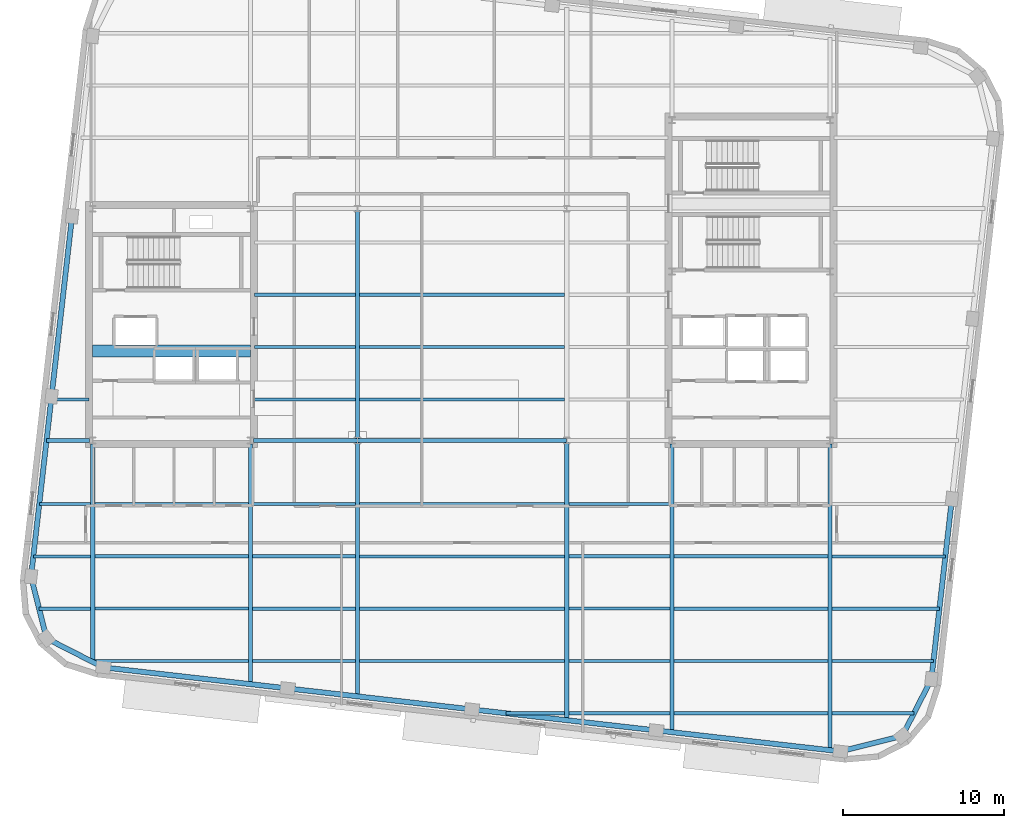
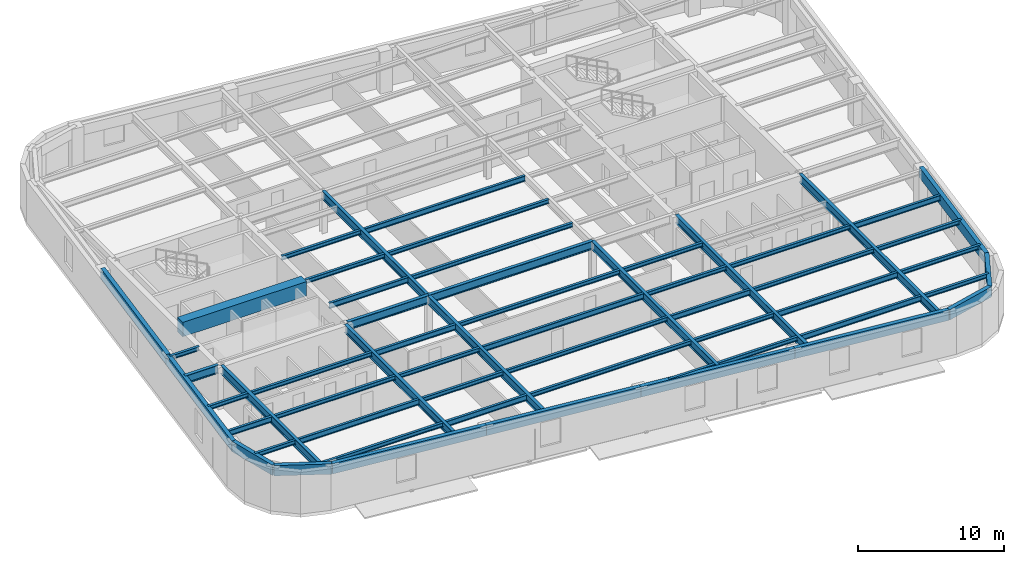
# One storey, part 3 of 13: 58 beams.
"""IFC4 building model written with IfcOpenShell, lengths in metres."""

from ifc_helpers import new_model, si_unit, direction, frame, origin, origin_2d, place, context, subcontext, project, spatial, rectangle, hollow_rectangle, i_section, extrude, material, material_profile, profile_set, type_object, element, save


model = new_model("IFC4")

# Units and contexts
model_context = context("Model", 3, precision=1e-05, world=origin(), true_north=direction((0.0, 1.0)))
body_context = subcontext(model_context, "Body", "Model", "MODEL_VIEW")
ifc_project = project(units=[si_unit("LENGTHUNIT", "METRE"), si_unit("AREAUNIT", "SQUARE_METRE"), si_unit("VOLUMEUNIT", "CUBIC_METRE"), si_unit("PLANEANGLEUNIT", "RADIAN"), si_unit("MASSUNIT", "GRAM", prefix="KILO")], contexts=[model_context])

# Site, building, storey
site_placement = place(None, origin())
site = spatial("IfcSite", under=ifc_project, at=site_placement, CompositionType="ELEMENT")
building_placement = place(site_placement, origin())
building = spatial("IfcBuilding", under=site, at=building_placement, Name="Kolvaren Arena Tower", CompositionType="ELEMENT")
storey_placement = place(building_placement, frame((0.0, 0.0, 254.699951171875)))
storey = spatial("IfcBuildingStorey", under=building, at=storey_placement, Name="L62", CompositionType="ELEMENT", Elevation=254.699951171875)

# Beams
ifc_material_1 = material(Name="Steel CSA G40.21 350W", Category="steel")
ifc_material_profile_1 = material_profile(ifc_material_1, i_section(OverallWidth=0.193115234375, OverallDepth=0.462890625, WebThickness=0.0107421875, FlangeThickness=0.0205078125, FilletRadius=0.012939453125, at=origin_2d()), Name="W460x113")
ifc_profile_set_1 = profile_set([ifc_material_profile_1], Name="Steel CSA G40.21 350W")
beam_type_1 = type_object("IfcBeamType", Name="BEAM-F2", PredefinedType="BEAM", material=ifc_profile_set_1)
beam_1_placement = place(storey_placement, frame((50.677490234375, 2.5, 3.24853515625), z_axis=(1.0, 0.0, 0.0), x_axis=(0.0, 1.0, 0.0)))
element("IfcBeam", 1, at=beam_1_placement, inside=storey, type_object=beam_type_1, Name="Composite Floor Beam (L62)", PredefinedType="BEAM", context=body_context, shape_type="SweptSolid", body=[
    extrude(i_section(OverallWidth=0.193115234375, OverallDepth=0.462890625, WebThickness=0.0107421875, FlangeThickness=0.0205078125, FilletRadius=0.012939453125, at=origin_2d()), origin(), (0.0, 0.0, 1.0), 9.544921875),
])
beam_2_placement = place(storey_placement, frame((24.4775390625, 5.75, 3.24853515625), z_axis=(1.0, 0.0, 0.0), x_axis=(0.0, 1.0, 0.0)))
element("IfcBeam", 2, at=beam_2_placement, inside=storey, type_object=beam_type_1, Name="Composite Floor Beam (L62)", PredefinedType="BEAM", context=body_context, shape_type="SweptSolid", body=[
    extrude(i_section(OverallWidth=0.193115234375, OverallDepth=0.462890625, WebThickness=0.0107421875, FlangeThickness=0.0205078125, FilletRadius=0.012939453125, at=origin_2d()), origin(), (0.0, 0.0, 1.0), 6.39501953125),
])
for number, where, z_axis, x_axis, name in (
    (3, (50.677490234375, 5.75, 3.24853515625), (1.0, 0.0, 0.0), (0.0, 1.0, 0.0), "Composite Floor Beam (L62)"),
    (4, (14.677490234375, 9.0, 3.24853515625), (1.0, 0.0, 0.0), (0.0, 1.0, 0.0), "Composite Floor Beam (L62)"),
):
    element("IfcBeam", number, at=place(storey_placement, frame(where, z_axis=z_axis, x_axis=x_axis)), inside=storey, type_object=beam_type_1, Name=name, PredefinedType="BEAM", context=body_context, shape_type="SweptSolid", body=[
        extrude(i_section(OverallWidth=0.193115234375, OverallDepth=0.462890625, WebThickness=0.0107421875, FlangeThickness=0.0205078125, FilletRadius=0.012939453125, at=origin_2d()), origin(), (0.0, 0.0, 1.0), 9.544921875),
    ])
beam_3_placement = place(storey_placement, frame((44.12744140625, 9.0, 3.24853515625), z_axis=(1.0, 0.0, 0.0), x_axis=(0.0, 1.0, 0.0)))
element("IfcBeam", 5, at=beam_3_placement, inside=storey, type_object=beam_type_1, Name="Composite Floor Beam (L62)", PredefinedType="BEAM", context=body_context, shape_type="SweptSolid", body=[
    extrude(i_section(OverallWidth=0.193115234375, OverallDepth=0.462890625, WebThickness=0.0107421875, FlangeThickness=0.0205078125, FilletRadius=0.012939453125, at=origin_2d()), origin(), (0.0, 0.0, 1.0), 6.295166015625),
])
beam_4_placement = place(storey_placement, frame((10.86083984375, 12.25, 3.24853515625), z_axis=(1.0, 0.0, 0.0), x_axis=(0.0, 1.0, 0.0)))
element("IfcBeam", 6, at=beam_4_placement, inside=storey, type_object=beam_type_1, Name="Composite Floor Beam (L62)", PredefinedType="BEAM", context=body_context, shape_type="SweptSolid", body=[
    extrude(i_section(OverallWidth=0.193115234375, OverallDepth=0.462890625, WebThickness=0.0107421875, FlangeThickness=0.0205078125, FilletRadius=0.012939453125, at=origin_2d()), origin(), (0.0, 0.0, 1.0), 3.561767578125),
])
beam_5_placement = place(storey_placement, frame((31.12744140625, 12.25, 3.24853515625), z_axis=(1.0, 0.0, 0.0), x_axis=(0.0, 1.0, 0.0)))
element("IfcBeam", 7, at=beam_5_placement, inside=storey, type_object=beam_type_1, Name="Composite Floor Beam (L62)", PredefinedType="BEAM", context=body_context, shape_type="SweptSolid", body=[
    extrude(i_section(OverallWidth=0.193115234375, OverallDepth=0.462890625, WebThickness=0.0107421875, FlangeThickness=0.0205078125, FilletRadius=0.012939453125, at=origin_2d()), origin(), (0.0, 0.0, 1.0), 12.7451171875),
])
beam_6_placement = place(storey_placement, frame((60.4775390625, 12.25, 3.24853515625), z_axis=(1.0, 0.0, 0.0), x_axis=(0.0, 1.0, 0.0)))
element("IfcBeam", 8, at=beam_6_placement, inside=storey, type_object=beam_type_1, Name="Composite Floor Beam (L62)", PredefinedType="BEAM", context=body_context, shape_type="SweptSolid", body=[
    extrude(i_section(OverallWidth=0.193115234375, OverallDepth=0.462890625, WebThickness=0.0107421875, FlangeThickness=0.0205078125, FilletRadius=0.012939453125, at=origin_2d()), origin(), (0.0, 0.0, 1.0), 7.04736328125),
])
beam_7_placement = place(storey_placement, frame((24.4775390625, 15.5, 3.24853515625), z_axis=(1.0, 0.0, 0.0), x_axis=(0.0, 1.0, 0.0)))
element("IfcBeam", 9, at=beam_7_placement, inside=storey, type_object=beam_type_1, Name="Composite Floor Beam (L62)", PredefinedType="BEAM", context=body_context, shape_type="SweptSolid", body=[
    extrude(i_section(OverallWidth=0.193115234375, OverallDepth=0.462890625, WebThickness=0.0107421875, FlangeThickness=0.0205078125, FilletRadius=0.012939453125, at=origin_2d()), origin(), (0.0, 0.0, 1.0), 6.39501953125),
])
beam_8_placement = place(storey_placement, frame((24.594970703125, 22.0, 3.24853515625), z_axis=(1.0, 0.0, 0.0), x_axis=(0.0, 1.0, 0.0)))
element("IfcBeam", 10, at=beam_8_placement, inside=storey, type_object=beam_type_1, Name="Composite Floor Beam (L62)", PredefinedType="BEAM", context=body_context, shape_type="SweptSolid", body=[
    extrude(i_section(OverallWidth=0.193115234375, OverallDepth=0.462890625, WebThickness=0.0107421875, FlangeThickness=0.0205078125, FilletRadius=0.012939453125, at=origin_2d()), origin(), (0.0, 0.0, 1.0), 6.277587890625),
])
beam_9_placement = place(storey_placement, frame((31.12744140625, 28.5, 3.24853515625), z_axis=(1.0, 0.0, 0.0), x_axis=(0.0, 1.0, 0.0)))
element("IfcBeam", 11, at=beam_9_placement, inside=storey, type_object=beam_type_1, Name="Composite Floor Beam (L62)", PredefinedType="BEAM", context=body_context, shape_type="SweptSolid", body=[
    extrude(i_section(OverallWidth=0.193115234375, OverallDepth=0.462890625, WebThickness=0.0107421875, FlangeThickness=0.0205078125, FilletRadius=0.012939453125, at=origin_2d()), origin(), (0.0, 0.0, 1.0), 12.7451171875),
])
ifc_material_2 = material(Name="Concrete 60 MPa", Category="concrete")
ifc_material_profile_2 = material_profile(ifc_material_2, rectangle(XDim=0.75, YDim=1.199951171875, at=origin_2d()), Name="RC-750x1200")
ifc_profile_set_2 = profile_set([ifc_material_profile_2], Name="Concrete 60 MPa")
beam_type_2 = type_object("IfcBeamType", Name="CB-CORE-2", PredefinedType="BEAM", material=ifc_profile_set_2)
beam_10_placement = place(storey_placement, frame((14.550048828125, 25.0, 3.150146484375), z_axis=(1.0, 0.0, 0.0), x_axis=(0.0, 1.0, 0.0)))
element("IfcBeam", 12, at=beam_10_placement, inside=storey, type_object=beam_type_2, Name="West Core Coupling Beam (L62)", PredefinedType="BEAM", context=body_context, shape_type="SweptSolid", body=[
    extrude(rectangle(XDim=0.75, YDim=1.199951171875, at=origin_2d()), origin(), (0.0, 0.0, 1.0), 9.800048828125),
])
ifc_material_profile_3 = material_profile(ifc_material_1, i_section(OverallWidth=0.2548828125, OverallDepth=0.695068359375, WebThickness=0.01708984375, FlangeThickness=0.02978515625, FilletRadius=0.01611328125, at=origin_2d()), Name="W690x217")
ifc_profile_set_3 = profile_set([ifc_material_profile_3], Name="Steel CSA G40.21 350W")
beam_type_3 = type_object("IfcBeamType", Name="GIRD-T2", PredefinedType="BEAM", material=ifc_profile_set_3)
beam_11_placement = place(storey_placement, frame((11.68115234375, 19.449951171875, 3.132568359375), z_axis=(1.0, 0.0, 0.0), x_axis=(0.0, 1.0, 0.0)))
element("IfcBeam", 13, at=beam_11_placement, inside=storey, type_object=beam_type_3, Name="Primary Floor Girder (L62)", PredefinedType="BEAM", context=body_context, shape_type="SweptSolid", body=[
    extrude(i_section(OverallWidth=0.2548828125, OverallDepth=0.695068359375, WebThickness=0.01708984375, FlangeThickness=0.02978515625, FilletRadius=0.01611328125, at=origin_2d()), origin(), (0.0, 0.0, 1.0), 2.663818359375),
])
beam_12_placement = place(storey_placement, frame((24.554931640625, 19.449951171875, 3.132568359375), z_axis=(1.0, 0.0, 0.0), x_axis=(0.0, 1.0, 0.0)))
element("IfcBeam", 14, at=beam_12_placement, inside=storey, type_object=beam_type_3, Name="Primary Floor Girder (L62)", PredefinedType="BEAM", context=body_context, shape_type="SweptSolid", body=[
    extrude(i_section(OverallWidth=0.2548828125, OverallDepth=0.695068359375, WebThickness=0.01708984375, FlangeThickness=0.02978515625, FilletRadius=0.01611328125, at=origin_2d()), origin(), (0.0, 0.0, 1.0), 6.445068359375),
])
beam_13_placement = place(storey_placement, frame((31.0, 19.449951171875, 3.132568359375), z_axis=(1.0, 0.0, 0.0), x_axis=(0.0, 1.0, 0.0)))
element("IfcBeam", 15, at=beam_13_placement, inside=storey, type_object=beam_type_3, Name="Primary Floor Girder (L62)", PredefinedType="BEAM", context=body_context, shape_type="SweptSolid", body=[
    extrude(i_section(OverallWidth=0.2548828125, OverallDepth=0.695068359375, WebThickness=0.01708984375, FlangeThickness=0.02978515625, FilletRadius=0.01611328125, at=origin_2d()), origin(), (0.0, 0.0, 1.0), 13.0),
])
beam_14_placement = place(storey_placement, frame((14.550048828125, 5.686767578125, 3.132568359375), z_axis=(0.0, 1.0, 0.0), x_axis=(-1.0, 0.0, 0.0)))
element("IfcBeam", 16, at=beam_14_placement, inside=storey, type_object=beam_type_3, Name="Primary Floor Girder (L62)", PredefinedType="BEAM", context=body_context, shape_type="SweptSolid", body=[
    extrude(i_section(OverallWidth=0.2548828125, OverallDepth=0.695068359375, WebThickness=0.01708984375, FlangeThickness=0.02978515625, FilletRadius=0.01611328125, at=origin_2d()), origin(), (0.0, 0.0, 1.0), 13.558349609375),
])
beam_15_placement = place(storey_placement, frame((24.35009765625, 4.30908203125, 3.132568359375), z_axis=(0.0, 1.0, 0.0), x_axis=(-1.0, 0.0, 0.0)))
element("IfcBeam", 17, at=beam_15_placement, inside=storey, type_object=beam_type_3, Name="Primary Floor Girder (L62)", PredefinedType="BEAM", context=body_context, shape_type="SweptSolid", body=[
    extrude(i_section(OverallWidth=0.2548828125, OverallDepth=0.695068359375, WebThickness=0.01708984375, FlangeThickness=0.02978515625, FilletRadius=0.01611328125, at=origin_2d()), origin(), (0.0, 0.0, 1.0), 14.93603515625),
])
beam_16_placement = place(storey_placement, frame((31.0, 3.551513671875, 3.132568359375), z_axis=(0.0, 1.0, 0.0), x_axis=(-1.0, 0.0, 0.0)))
element("IfcBeam", 18, at=beam_16_placement, inside=storey, type_object=beam_type_3, Name="Primary Floor Girder (L62)", PredefinedType="BEAM", context=body_context, shape_type="SweptSolid", body=[
    extrude(i_section(OverallWidth=0.2548828125, OverallDepth=0.695068359375, WebThickness=0.01708984375, FlangeThickness=0.02978515625, FilletRadius=0.01611328125, at=origin_2d()), origin(), (0.0, 0.0, 1.0), 15.8984375),
])
beam_17_placement = place(storey_placement, frame((31.0, 19.449951171875, 3.132568359375), z_axis=(0.0, 1.0, 0.0), x_axis=(-1.0, 0.0, 0.0)))
element("IfcBeam", 19, at=beam_17_placement, inside=storey, type_object=beam_type_3, Name="Primary Floor Girder (L62)", PredefinedType="BEAM", context=body_context, shape_type="SweptSolid", body=[
    extrude(i_section(OverallWidth=0.2548828125, OverallDepth=0.695068359375, WebThickness=0.01708984375, FlangeThickness=0.02978515625, FilletRadius=0.01611328125, at=origin_2d()), origin(), (0.0, 0.0, 1.0), 14.400146484375),
])
beam_18_placement = place(storey_placement, frame((44.0, 2.0703125, 3.132568359375), z_axis=(0.0, 1.0, 0.0), x_axis=(-1.0, 0.0, 0.0)))
element("IfcBeam", 20, at=beam_18_placement, inside=storey, type_object=beam_type_3, Name="Primary Floor Girder (L62)", PredefinedType="BEAM", context=body_context, shape_type="SweptSolid", body=[
    extrude(i_section(OverallWidth=0.2548828125, OverallDepth=0.695068359375, WebThickness=0.01708984375, FlangeThickness=0.02978515625, FilletRadius=0.01611328125, at=origin_2d()), origin(), (0.0, 0.0, 1.0), 17.379638671875),
])
beam_19_placement = place(storey_placement, frame((50.550048828125, 1.323974609375, 3.132568359375), z_axis=(0.0, 1.0, 0.0), x_axis=(-1.0, 0.0, 0.0)))
element("IfcBeam", 21, at=beam_19_placement, inside=storey, type_object=beam_type_3, Name="Primary Floor Girder (L62)", PredefinedType="BEAM", context=body_context, shape_type="SweptSolid", body=[
    extrude(i_section(OverallWidth=0.2548828125, OverallDepth=0.695068359375, WebThickness=0.01708984375, FlangeThickness=0.02978515625, FilletRadius=0.01611328125, at=origin_2d()), origin(), (0.0, 0.0, 1.0), 17.921142578125),
])
beam_20_placement = place(storey_placement, frame((60.35009765625, 0.20751953125, 3.132568359375), z_axis=(0.0, 1.0, 0.0), x_axis=(-1.0, 0.0, 0.0)))
element("IfcBeam", 22, at=beam_20_placement, inside=storey, type_object=beam_type_3, Name="Primary Floor Girder (L62)", PredefinedType="BEAM", context=body_context, shape_type="SweptSolid", body=[
    extrude(i_section(OverallWidth=0.2548828125, OverallDepth=0.695068359375, WebThickness=0.01708984375, FlangeThickness=0.02978515625, FilletRadius=0.01611328125, at=origin_2d()), origin(), (0.0, 0.0, 1.0), 19.03759765625),
])
ifc_material_profile_4 = material_profile(ifc_material_1, i_section(OverallWidth=0.202880859375, OverallDepth=0.346923828125, WebThickness=0.0078125, FlangeThickness=0.013427734375, FilletRadius=0.010986328125, at=origin_2d()), Name="W360x64")
ifc_profile_set_4 = profile_set([ifc_material_profile_4], Name="Steel CSA G40.21 350W")
beam_type_4 = type_object("IfcBeamType", Name="JOIST-01", PredefinedType="JOIST", material=ifc_profile_set_4)
beam_21_placement = place(storey_placement, frame((40.228271484375, 2.5, 3.306640625), z_axis=(1.0, 0.0, 0.0), x_axis=(0.0, 1.0, 0.0)))
element("IfcBeam", 23, at=beam_21_placement, inside=storey, type_object=beam_type_4, Name="Composite Floor Joist (L62)", PredefinedType="JOIST", context=body_context, shape_type="SweptSolid", body=[
    extrude(i_section(OverallWidth=0.202880859375, OverallDepth=0.346923828125, WebThickness=0.0078125, FlangeThickness=0.013427734375, FilletRadius=0.010986328125, at=origin_2d()), origin(), (0.0, 0.0, 1.0), 3.644287109375),
])
beam_22_placement = place(storey_placement, frame((44.12744140625, 2.5, 3.306640625), z_axis=(1.0, 0.0, 0.0), x_axis=(0.0, 1.0, 0.0)))
element("IfcBeam", 24, at=beam_22_placement, inside=storey, type_object=beam_type_4, Name="Composite Floor Joist (L62)", PredefinedType="JOIST", context=body_context, shape_type="SweptSolid", body=[
    extrude(i_section(OverallWidth=0.202880859375, OverallDepth=0.346923828125, WebThickness=0.0078125, FlangeThickness=0.013427734375, FilletRadius=0.010986328125, at=origin_2d()), origin(), (0.0, 0.0, 1.0), 6.295166015625),
])
beam_23_placement = place(storey_placement, frame((60.4775390625, 2.5, 3.306640625), z_axis=(1.0, 0.0, 0.0), x_axis=(0.0, 1.0, 0.0)))
element("IfcBeam", 25, at=beam_23_placement, inside=storey, type_object=beam_type_4, Name="Composite Floor Joist (L62)", PredefinedType="JOIST", context=body_context, shape_type="SweptSolid", body=[
    extrude(i_section(OverallWidth=0.202880859375, OverallDepth=0.346923828125, WebThickness=0.0078125, FlangeThickness=0.013427734375, FilletRadius=0.010986328125, at=origin_2d()), origin(), (0.0, 0.0, 1.0), 5.09423828125),
])
beam_24_placement = place(storey_placement, frame((14.42626953125, 5.75, 3.306640625), z_axis=(1.0, 0.0, 0.0), x_axis=(0.0, 1.0, 0.0)))
element("IfcBeam", 26, at=beam_24_placement, inside=storey, type_object=beam_type_4, Name="Composite Floor Joist (L62)", PredefinedType="JOIST", context=body_context, shape_type="SweptSolid", body=[
    extrude(i_section(OverallWidth=0.202880859375, OverallDepth=0.346923828125, WebThickness=0.0078125, FlangeThickness=0.013427734375, FilletRadius=0.010986328125, at=origin_2d()), origin(), (0.0, 0.0, 1.0), 9.796142578125),
])
beam_25_placement = place(storey_placement, frame((31.12744140625, 5.75, 3.306640625), z_axis=(1.0, 0.0, 0.0), x_axis=(0.0, 1.0, 0.0)))
element("IfcBeam", 27, at=beam_25_placement, inside=storey, type_object=beam_type_4, Name="Composite Floor Joist (L62)", PredefinedType="JOIST", context=body_context, shape_type="SweptSolid", body=[
    extrude(i_section(OverallWidth=0.202880859375, OverallDepth=0.346923828125, WebThickness=0.0078125, FlangeThickness=0.013427734375, FilletRadius=0.010986328125, at=origin_2d()), origin(), (0.0, 0.0, 1.0), 12.7451171875),
])
beam_26_placement = place(storey_placement, frame((44.12744140625, 5.75, 3.306640625), z_axis=(1.0, 0.0, 0.0), x_axis=(0.0, 1.0, 0.0)))
element("IfcBeam", 28, at=beam_26_placement, inside=storey, type_object=beam_type_4, Name="Composite Floor Joist (L62)", PredefinedType="JOIST", context=body_context, shape_type="SweptSolid", body=[
    extrude(i_section(OverallWidth=0.202880859375, OverallDepth=0.346923828125, WebThickness=0.0078125, FlangeThickness=0.013427734375, FilletRadius=0.010986328125, at=origin_2d()), origin(), (0.0, 0.0, 1.0), 6.295166015625),
])
beam_27_placement = place(storey_placement, frame((60.4775390625, 5.75, 3.306640625), z_axis=(1.0, 0.0, 0.0), x_axis=(0.0, 1.0, 0.0)))
element("IfcBeam", 29, at=beam_27_placement, inside=storey, type_object=beam_type_4, Name="Composite Floor Joist (L62)", PredefinedType="JOIST", context=body_context, shape_type="SweptSolid", body=[
    extrude(i_section(OverallWidth=0.202880859375, OverallDepth=0.346923828125, WebThickness=0.0078125, FlangeThickness=0.013427734375, FilletRadius=0.010986328125, at=origin_2d()), origin(), (0.0, 0.0, 1.0), 6.306884765625),
])
beam_28_placement = place(storey_placement, frame((11.217529296875, 9.0, 3.306640625), z_axis=(1.0, 0.0, 0.0), x_axis=(0.0, 1.0, 0.0)))
element("IfcBeam", 30, at=beam_28_placement, inside=storey, type_object=beam_type_4, Name="Composite Floor Joist (L62)", PredefinedType="JOIST", context=body_context, shape_type="SweptSolid", body=[
    extrude(i_section(OverallWidth=0.202880859375, OverallDepth=0.346923828125, WebThickness=0.0078125, FlangeThickness=0.013427734375, FilletRadius=0.010986328125, at=origin_2d()), origin(), (0.0, 0.0, 1.0), 3.205078125),
])
beam_29_placement = place(storey_placement, frame((24.4775390625, 9.0, 3.306640625), z_axis=(1.0, 0.0, 0.0), x_axis=(0.0, 1.0, 0.0)))
element("IfcBeam", 31, at=beam_29_placement, inside=storey, type_object=beam_type_4, Name="Composite Floor Joist (L62)", PredefinedType="JOIST", context=body_context, shape_type="SweptSolid", body=[
    extrude(i_section(OverallWidth=0.202880859375, OverallDepth=0.346923828125, WebThickness=0.0078125, FlangeThickness=0.013427734375, FilletRadius=0.010986328125, at=origin_2d()), origin(), (0.0, 0.0, 1.0), 6.39501953125),
])
beam_30_placement = place(storey_placement, frame((31.12744140625, 9.0, 3.306640625), z_axis=(1.0, 0.0, 0.0), x_axis=(0.0, 1.0, 0.0)))
element("IfcBeam", 32, at=beam_30_placement, inside=storey, type_object=beam_type_4, Name="Composite Floor Joist (L62)", PredefinedType="JOIST", context=body_context, shape_type="SweptSolid", body=[
    extrude(i_section(OverallWidth=0.202880859375, OverallDepth=0.346923828125, WebThickness=0.0078125, FlangeThickness=0.013427734375, FilletRadius=0.010986328125, at=origin_2d()), origin(), (0.0, 0.0, 1.0), 12.7451171875),
])
beam_31_placement = place(storey_placement, frame((50.677490234375, 9.0, 3.306640625), z_axis=(1.0, 0.0, 0.0), x_axis=(0.0, 1.0, 0.0)))
element("IfcBeam", 33, at=beam_31_placement, inside=storey, type_object=beam_type_4, Name="Composite Floor Joist (L62)", PredefinedType="JOIST", context=body_context, shape_type="SweptSolid", body=[
    extrude(i_section(OverallWidth=0.202880859375, OverallDepth=0.346923828125, WebThickness=0.0078125, FlangeThickness=0.013427734375, FilletRadius=0.010986328125, at=origin_2d()), origin(), (0.0, 0.0, 1.0), 9.544921875),
])
beam_32_placement = place(storey_placement, frame((60.4775390625, 9.0, 3.306640625), z_axis=(1.0, 0.0, 0.0), x_axis=(0.0, 1.0, 0.0)))
element("IfcBeam", 34, at=beam_32_placement, inside=storey, type_object=beam_type_4, Name="Composite Floor Joist (L62)", PredefinedType="JOIST", context=body_context, shape_type="SweptSolid", body=[
    extrude(i_section(OverallWidth=0.202880859375, OverallDepth=0.346923828125, WebThickness=0.0078125, FlangeThickness=0.013427734375, FilletRadius=0.010986328125, at=origin_2d()), origin(), (0.0, 0.0, 1.0), 6.67724609375),
])
beam_33_placement = place(storey_placement, frame((14.677490234375, 12.25, 3.306640625), z_axis=(1.0, 0.0, 0.0), x_axis=(0.0, 1.0, 0.0)))
element("IfcBeam", 35, at=beam_33_placement, inside=storey, type_object=beam_type_4, Name="Composite Floor Joist (L62)", PredefinedType="JOIST", context=body_context, shape_type="SweptSolid", body=[
    extrude(i_section(OverallWidth=0.202880859375, OverallDepth=0.346923828125, WebThickness=0.0078125, FlangeThickness=0.013427734375, FilletRadius=0.010986328125, at=origin_2d()), origin(), (0.0, 0.0, 1.0), 9.544921875),
])
beam_34_placement = place(storey_placement, frame((24.4775390625, 12.25, 3.306640625), z_axis=(1.0, 0.0, 0.0), x_axis=(0.0, 1.0, 0.0)))
element("IfcBeam", 36, at=beam_34_placement, inside=storey, type_object=beam_type_4, Name="Composite Floor Joist (L62)", PredefinedType="JOIST", context=body_context, shape_type="SweptSolid", body=[
    extrude(i_section(OverallWidth=0.202880859375, OverallDepth=0.346923828125, WebThickness=0.0078125, FlangeThickness=0.013427734375, FilletRadius=0.010986328125, at=origin_2d()), origin(), (0.0, 0.0, 1.0), 6.39501953125),
])
beam_35_placement = place(storey_placement, frame((44.12744140625, 12.25, 3.306640625), z_axis=(1.0, 0.0, 0.0), x_axis=(0.0, 1.0, 0.0)))
element("IfcBeam", 37, at=beam_35_placement, inside=storey, type_object=beam_type_4, Name="Composite Floor Joist (L62)", PredefinedType="JOIST", context=body_context, shape_type="SweptSolid", body=[
    extrude(i_section(OverallWidth=0.202880859375, OverallDepth=0.346923828125, WebThickness=0.0078125, FlangeThickness=0.013427734375, FilletRadius=0.010986328125, at=origin_2d()), origin(), (0.0, 0.0, 1.0), 6.295166015625),
])
beam_36_placement = place(storey_placement, frame((50.677490234375, 12.25, 3.306640625), z_axis=(1.0, 0.0, 0.0), x_axis=(0.0, 1.0, 0.0)))
element("IfcBeam", 38, at=beam_36_placement, inside=storey, type_object=beam_type_4, Name="Composite Floor Joist (L62)", PredefinedType="JOIST", context=body_context, shape_type="SweptSolid", body=[
    extrude(i_section(OverallWidth=0.202880859375, OverallDepth=0.346923828125, WebThickness=0.0078125, FlangeThickness=0.013427734375, FilletRadius=0.010986328125, at=origin_2d()), origin(), (0.0, 0.0, 1.0), 9.544921875),
])
beam_37_placement = place(storey_placement, frame((11.23095703125, 15.5, 3.306640625), z_axis=(1.0, 0.0, 0.0), x_axis=(0.0, 1.0, 0.0)))
element("IfcBeam", 39, at=beam_37_placement, inside=storey, type_object=beam_type_4, Name="Composite Floor Joist (L62)", PredefinedType="JOIST", context=body_context, shape_type="SweptSolid", body=[
    extrude(i_section(OverallWidth=0.202880859375, OverallDepth=0.346923828125, WebThickness=0.0078125, FlangeThickness=0.013427734375, FilletRadius=0.010986328125, at=origin_2d()), origin(), (0.0, 0.0, 1.0), 3.191650390625),
])
beam_38_placement = place(storey_placement, frame((14.677490234375, 15.5, 3.306640625), z_axis=(1.0, 0.0, 0.0), x_axis=(0.0, 1.0, 0.0)))
element("IfcBeam", 40, at=beam_38_placement, inside=storey, type_object=beam_type_4, Name="Composite Floor Joist (L62)", PredefinedType="JOIST", context=body_context, shape_type="SweptSolid", body=[
    extrude(i_section(OverallWidth=0.202880859375, OverallDepth=0.346923828125, WebThickness=0.0078125, FlangeThickness=0.013427734375, FilletRadius=0.010986328125, at=origin_2d()), origin(), (0.0, 0.0, 1.0), 9.544921875),
])
beam_39_placement = place(storey_placement, frame((31.12744140625, 15.5, 3.306640625), z_axis=(1.0, 0.0, 0.0), x_axis=(0.0, 1.0, 0.0)))
element("IfcBeam", 41, at=beam_39_placement, inside=storey, type_object=beam_type_4, Name="Composite Floor Joist (L62)", PredefinedType="JOIST", context=body_context, shape_type="SweptSolid", body=[
    extrude(i_section(OverallWidth=0.202880859375, OverallDepth=0.346923828125, WebThickness=0.0078125, FlangeThickness=0.013427734375, FilletRadius=0.010986328125, at=origin_2d()), origin(), (0.0, 0.0, 1.0), 12.7451171875),
])
beam_40_placement = place(storey_placement, frame((44.12744140625, 15.5, 3.306640625), z_axis=(1.0, 0.0, 0.0), x_axis=(0.0, 1.0, 0.0)))
element("IfcBeam", 42, at=beam_40_placement, inside=storey, type_object=beam_type_4, Name="Composite Floor Joist (L62)", PredefinedType="JOIST", context=body_context, shape_type="SweptSolid", body=[
    extrude(i_section(OverallWidth=0.202880859375, OverallDepth=0.346923828125, WebThickness=0.0078125, FlangeThickness=0.013427734375, FilletRadius=0.010986328125, at=origin_2d()), origin(), (0.0, 0.0, 1.0), 6.295166015625),
])
beam_41_placement = place(storey_placement, frame((11.9716796875, 22.0, 3.306640625), z_axis=(1.0, 0.0, 0.0), x_axis=(0.0, 1.0, 0.0)))
element("IfcBeam", 43, at=beam_41_placement, inside=storey, type_object=beam_type_4, Name="Composite Floor Joist (L62)", PredefinedType="JOIST", context=body_context, shape_type="SweptSolid", body=[
    extrude(i_section(OverallWidth=0.202880859375, OverallDepth=0.346923828125, WebThickness=0.0078125, FlangeThickness=0.013427734375, FilletRadius=0.010986328125, at=origin_2d()), origin(), (0.0, 0.0, 1.0), 2.333251953125),
])
beam_42_placement = place(storey_placement, frame((31.12744140625, 22.0, 3.306640625), z_axis=(1.0, 0.0, 0.0), x_axis=(0.0, 1.0, 0.0)))
element("IfcBeam", 44, at=beam_42_placement, inside=storey, type_object=beam_type_4, Name="Composite Floor Joist (L62)", PredefinedType="JOIST", context=body_context, shape_type="SweptSolid", body=[
    extrude(i_section(OverallWidth=0.202880859375, OverallDepth=0.346923828125, WebThickness=0.0078125, FlangeThickness=0.013427734375, FilletRadius=0.010986328125, at=origin_2d()), origin(), (0.0, 0.0, 1.0), 12.7451171875),
])
beam_43_placement = place(storey_placement, frame((24.594970703125, 25.25, 3.306640625), z_axis=(1.0, 0.0, 0.0), x_axis=(0.0, 1.0, 0.0)))
element("IfcBeam", 45, at=beam_43_placement, inside=storey, type_object=beam_type_4, Name="Composite Floor Joist (L62)", PredefinedType="JOIST", context=body_context, shape_type="SweptSolid", body=[
    extrude(i_section(OverallWidth=0.202880859375, OverallDepth=0.346923828125, WebThickness=0.0078125, FlangeThickness=0.013427734375, FilletRadius=0.010986328125, at=origin_2d()), origin(), (0.0, 0.0, 1.0), 6.277587890625),
])
beam_44_placement = place(storey_placement, frame((31.12744140625, 25.25, 3.306640625), z_axis=(1.0, 0.0, 0.0), x_axis=(0.0, 1.0, 0.0)))
element("IfcBeam", 46, at=beam_44_placement, inside=storey, type_object=beam_type_4, Name="Composite Floor Joist (L62)", PredefinedType="JOIST", context=body_context, shape_type="SweptSolid", body=[
    extrude(i_section(OverallWidth=0.202880859375, OverallDepth=0.346923828125, WebThickness=0.0078125, FlangeThickness=0.013427734375, FilletRadius=0.010986328125, at=origin_2d()), origin(), (0.0, 0.0, 1.0), 12.7451171875),
])
beam_45_placement = place(storey_placement, frame((24.594970703125, 28.5, 3.306640625), z_axis=(1.0, 0.0, 0.0), x_axis=(0.0, 1.0, 0.0)))
element("IfcBeam", 47, at=beam_45_placement, inside=storey, type_object=beam_type_4, Name="Composite Floor Joist (L62)", PredefinedType="JOIST", context=body_context, shape_type="SweptSolid", body=[
    extrude(i_section(OverallWidth=0.202880859375, OverallDepth=0.346923828125, WebThickness=0.0078125, FlangeThickness=0.013427734375, FilletRadius=0.010986328125, at=origin_2d()), origin(), (0.0, 0.0, 1.0), 6.277587890625),
])
ifc_material_3 = material(Name="Steel CSA G40.21 350WT", Category="steel")
ifc_material_profile_5 = material_profile(ifc_material_3, hollow_rectangle(XDim=0.320068359375, YDim=0.860107421875, WallThickness=0.01806640625, at=origin_2d()), Name="HSS 860x320x18")
ifc_profile_set_5 = profile_set([ifc_material_profile_5], Name="Steel CSA G40.21 350WT")
beam_type_5 = type_object("IfcBeamType", Name="SPAND-02", PredefinedType="SPANDREL", material=ifc_profile_set_5)
for number, where, z_axis, x_axis, name in (
    (48, (15.207763671875, 5.350830078125, 3.050048828125), (0.99357166944, -0.113204848336, 0.0), (0.113204848336, 0.99357166944, 0.0), "Perimeter Spandrel Beam (L62)"),
    (49, (26.65869140625, 4.046142578125, 3.050048828125), (0.99357166944, -0.113204848336, 0.0), (0.113204848336, 0.99357166944, 0.0), "Perimeter Spandrel Beam (L62)"),
):
    element("IfcBeam", number, at=place(storey_placement, frame(where, z_axis=z_axis, x_axis=x_axis)), inside=storey, type_object=beam_type_5, Name=name, PredefinedType="SPANDREL", context=body_context, shape_type="SweptSolid", body=[
        extrude(hollow_rectangle(XDim=0.320068359375, YDim=0.860107421875, WallThickness=0.01806640625, at=origin_2d()), origin(), (0.0, 0.0, 1.0), 11.52490234375),
    ])
beam_46_placement = place(storey_placement, frame((38.109619140625, 2.741455078125, 3.050048828125), z_axis=(0.993571397957, -0.113207231049, 0.0), x_axis=(0.113207231049, 0.993571397957, 0.0)))
element("IfcBeam", 50, at=beam_46_placement, inside=storey, type_object=beam_type_5, Name="Perimeter Spandrel Beam (L62)", PredefinedType="SPANDREL", context=body_context, shape_type="SweptSolid", body=[
    extrude(hollow_rectangle(XDim=0.320068359375, YDim=0.860107421875, WallThickness=0.01806640625, at=origin_2d()), origin(), (0.0, 0.0, 1.0), 11.524658203125),
])
beam_47_placement = place(storey_placement, frame((49.560302734375, 1.436767578125, 3.050048828125), z_axis=(0.993571940905, -0.113202465721, 0.0), x_axis=(0.113202465721, 0.993571940905, 0.0)))
element("IfcBeam", 51, at=beam_47_placement, inside=storey, type_object=beam_type_5, Name="Perimeter Spandrel Beam (L62)", PredefinedType="SPANDREL", context=body_context, shape_type="SweptSolid", body=[
    extrude(hollow_rectangle(XDim=0.320068359375, YDim=0.860107421875, WallThickness=0.01806640625, at=origin_2d()), origin(), (0.0, 0.0, 1.0), 11.525146484375),
])
beam_48_placement = place(storey_placement, frame((61.011474609375, 0.132080078125, 3.050048828125), z_axis=(0.970033632471, 0.242970681103, 0.0), x_axis=(-0.242970681103, 0.970033632471, 0.0)))
element("IfcBeam", 52, at=beam_48_placement, inside=storey, type_object=beam_type_5, Name="Perimeter Spandrel Beam (L62)", PredefinedType="SPANDREL", context=body_context, shape_type="SweptSolid", body=[
    extrude(hollow_rectangle(XDim=0.320068359375, YDim=0.860107421875, WallThickness=0.01806640625, at=origin_2d()), origin(), (0.0, 0.0, 1.0), 3.9609375),
])
beam_49_placement = place(storey_placement, frame((64.853759765625, 1.094482421875, 3.050048828125), z_axis=(0.454962284061, 0.89051070745, 0.0), x_axis=(-0.89051070745, 0.454962284061, 0.0)))
element("IfcBeam", 53, at=beam_49_placement, inside=storey, type_object=beam_type_5, Name="Perimeter Spandrel Beam (L62)", PredefinedType="SPANDREL", context=body_context, shape_type="SweptSolid", body=[
    extrude(hollow_rectangle(XDim=0.320068359375, YDim=0.860107421875, WallThickness=0.01806640625, at=origin_2d()), origin(), (0.0, 0.0, 1.0), 3.96142578125),
])
beam_50_placement = place(storey_placement, frame((66.656005859375, 4.6220703125, 3.050048828125), z_axis=(0.113201896536, 0.993572005755, 0.0), x_axis=(-0.993572005755, 0.113201896536, 0.0)))
element("IfcBeam", 54, at=beam_50_placement, inside=storey, type_object=beam_type_5, Name="Perimeter Spandrel Beam (L62)", PredefinedType="SPANDREL", context=body_context, shape_type="SweptSolid", body=[
    extrude(hollow_rectangle(XDim=0.320068359375, YDim=0.860107421875, WallThickness=0.01806640625, at=origin_2d()), origin(), (0.0, 0.0, 1.0), 11.2666015625),
])
beam_51_placement = place(storey_placement, frame((13.268798828125, 33.3837890625, 3.050048828125), z_axis=(-0.113220850685, -0.993569846045, 0.0), x_axis=(0.993569846045, -0.113220850685, 0.0)))
element("IfcBeam", 55, at=beam_51_placement, inside=storey, type_object=beam_type_5, Name="Perimeter Spandrel Beam (L62)", PredefinedType="SPANDREL", context=body_context, shape_type="SweptSolid", body=[
    extrude(hollow_rectangle(XDim=0.320068359375, YDim=0.860107421875, WallThickness=0.01806640625, at=origin_2d()), origin(), (0.0, 0.0, 1.0), 11.266845703125),
])
beam_52_placement = place(storey_placement, frame((11.9931640625, 22.189453125, 3.050048828125), z_axis=(-0.113201896536, -0.993572005755, 0.0), x_axis=(0.993572005755, -0.113201896536, 0.0)))
element("IfcBeam", 56, at=beam_52_placement, inside=storey, type_object=beam_type_5, Name="Perimeter Spandrel Beam (L62)", PredefinedType="SPANDREL", context=body_context, shape_type="SweptSolid", body=[
    extrude(hollow_rectangle(XDim=0.320068359375, YDim=0.860107421875, WallThickness=0.01806640625, at=origin_2d()), origin(), (0.0, 0.0, 1.0), 11.2666015625),
])
beam_53_placement = place(storey_placement, frame((10.7177734375, 10.995361328125, 3.050048828125), z_axis=(0.243014148252, -0.970022743934, 0.0), x_axis=(0.970022743934, 0.243014148252, 0.0)))
element("IfcBeam", 57, at=beam_53_placement, inside=storey, type_object=beam_type_5, Name="Perimeter Spandrel Beam (L62)", PredefinedType="SPANDREL", context=body_context, shape_type="SweptSolid", body=[
    extrude(hollow_rectangle(XDim=0.320068359375, YDim=0.860107421875, WallThickness=0.01806640625, at=origin_2d()), origin(), (0.0, 0.0, 1.0), 3.961181640625),
])
beam_54_placement = place(storey_placement, frame((11.680419921875, 7.15283203125, 3.050048828125), z_axis=(0.890522920884, -0.454938377564, 0.0), x_axis=(0.454938377564, 0.890522920884, 0.0)))
element("IfcBeam", 58, at=beam_54_placement, inside=storey, type_object=beam_type_5, Name="Perimeter Spandrel Beam (L62)", PredefinedType="SPANDREL", context=body_context, shape_type="SweptSolid", body=[
    extrude(hollow_rectangle(XDim=0.320068359375, YDim=0.860107421875, WallThickness=0.01806640625, at=origin_2d()), origin(), (0.0, 0.0, 1.0), 3.9609375),
])

save(model, "model.ifc")
